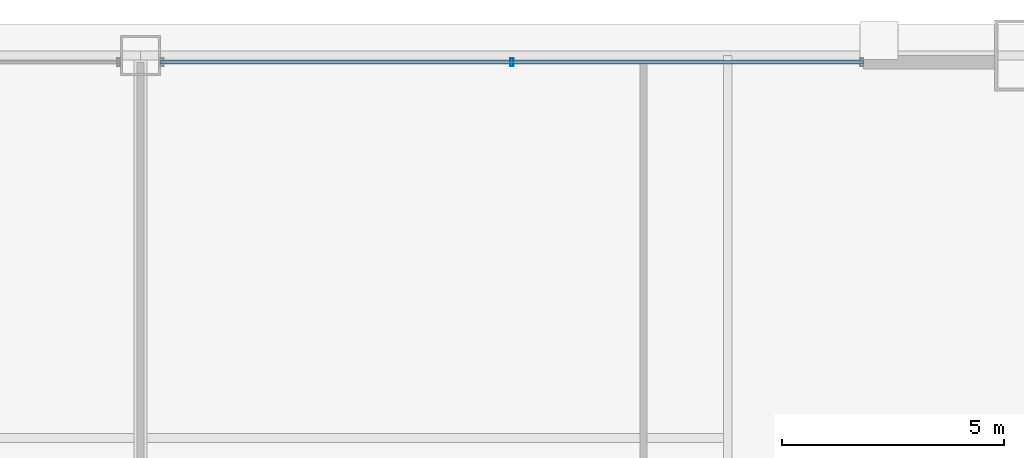
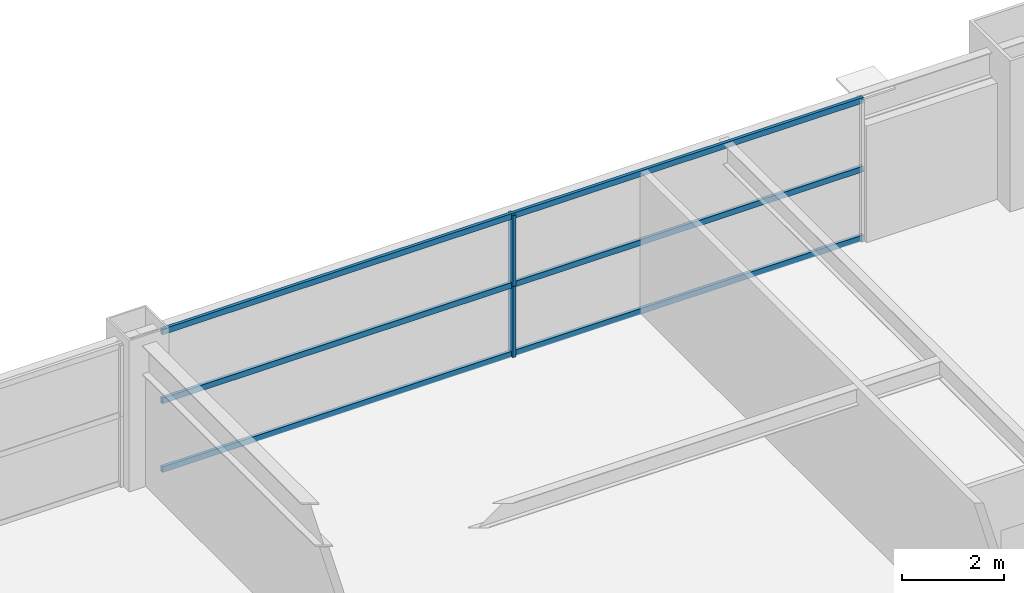
# One storey, part 30 of 37: 5 members, 1 element without a shape of its own.
"""IFC4 building model written with IfcOpenShell, lengths in metres."""

from ifc_helpers import new_model, si_unit, direction, frame, origin, origin_2d, place, context, subcontext, project, spatial, hollow_rectangle, extrude, source, transform, mapped, material, layer, layer_set, material_profile, profile_set, type_object, element, aggregate, save


model = new_model("IFC4")

# Units and contexts
model_context = context("Model", 3, precision=1e-05, world=origin(), true_north=direction((0.0, 1.0)))
body_context = subcontext(model_context, "Body", "Model", "MODEL_VIEW")
ifc_project = project(units=[si_unit("LENGTHUNIT", "METRE"), si_unit("AREAUNIT", "SQUARE_METRE"), si_unit("VOLUMEUNIT", "CUBIC_METRE"), si_unit("PLANEANGLEUNIT", "RADIAN"), si_unit("MASSUNIT", "GRAM", prefix="KILO"), si_unit("THERMODYNAMICTEMPERATUREUNIT", "KELVIN"), si_unit("POWERUNIT", "WATT")], contexts=[model_context])

# Site, building, storey
site_placement = place(None, origin())
site = spatial("IfcSite", under=ifc_project, at=site_placement, CompositionType="ELEMENT")
building_placement = place(site_placement, origin())
building = spatial("IfcBuilding", under=site, at=building_placement, Name="Yuzanri Waterfront Tower", CompositionType="ELEMENT")
storey_placement = place(building_placement, frame((0.0, 0.0, 104.60009765625)))
storey = spatial("IfcBuildingStorey", under=building, at=storey_placement, Name="L27", CompositionType="ELEMENT", Elevation=104.60009765625)

# Curtain wall, members
ifc_material_1 = material(Name="Anodized Architectural Bronze", Category="metal")
ifc_layer = layer(ifc_material_1, 0.159912109375)
ifc_layer_set = layer_set([ifc_layer], Name="Anodized Architectural Bronze")
curtain_wall_type = type_object("IfcCurtainWallType", Name="Anodized Bronze Hotel Upper-Tier Solar-Control Unitized Curtain Wall 7800", PredefinedType="NOTDEFINED", material=ifc_layer_set)
curtain_wall_placement = place(storey_placement, origin())
curtain_wall = element("IfcCurtainWall", 1, at=curtain_wall_placement, inside=storey, type_object=curtain_wall_type, Name="L27 Curtain Wall CW-L27-NR", PredefinedType="NOTDEFINED")
ifc_material_2 = material(Name="Anodized Architectural Bronze", Category="metal")
ifc_material_profile_1 = material_profile(ifc_material_2, hollow_rectangle(XDim=0.070068359375, YDim=0.179931640625, WallThickness=0.00390625, at=origin_2d()), Name="CWM 70x180")
ifc_profile_set_1 = profile_set([ifc_material_profile_1], Name="Anodized Architectural Bronze")
member_type_1 = type_object("IfcMemberType", Name="Anodized Bronze Standard Curtain-Wall Mullion 70x180", PredefinedType="MULLION", material=ifc_profile_set_1)
shared_shape_1 = source(origin(), body_context, "Body", "SweptSolid", [
    extrude(hollow_rectangle(XDim=0.070068359375, YDim=0.179931640625, WallThickness=0.00390625, at=origin_2d()), origin(), (0.0, 0.0, 1.0), 1.68798828125),
])
member_1_placement = place(storey_placement, frame((45.35009765625, 49.25, 0.0), z_axis=(0.0, 0.0, 1.0), x_axis=(1.0, 0.0, 0.0)))
member_1 = element("IfcMember", 2, at=member_1_placement, type_object=member_type_1, Name="CW-L27-NR Lower Mullion 01", PredefinedType="MULLION", context=body_context, shape_type="MappedRepresentation", body=[
    mapped(shared_shape_1, transform((0.0, 0.0, 0.0), scale=1.0)),
])
member_2_placement = place(storey_placement, frame((45.35009765625, 49.25, 1.69189453125), z_axis=(0.0, 0.0, 1.0), x_axis=(1.0, 0.0, 0.0)))
member_2 = element("IfcMember", 3, at=member_2_placement, type_object=member_type_1, Name="CW-L27-NR Upper Mullion 01", PredefinedType="MULLION", context=body_context, shape_type="MappedRepresentation", body=[
    mapped(shared_shape_1, transform((0.0, 0.0, 0.0), scale=1.0)),
])
ifc_material_3 = material(Name="Anodized Architectural Bronze", Category="metal")
ifc_material_profile_2 = material_profile(ifc_material_3, hollow_rectangle(XDim=0.070068359375, YDim=0.135009765625, WallThickness=0.00341796875, at=origin_2d()), Name="CWT 70x135")
ifc_profile_set_2 = profile_set([ifc_material_profile_2], Name="Anodized Architectural Bronze")
member_type_2 = type_object("IfcMemberType", Name="Anodized Bronze Standard Curtain-Wall Transom 70x135", PredefinedType="USERDEFINED", material=ifc_profile_set_2)
shared_shape_2 = source(origin(), body_context, "Body", "SweptSolid", [
    extrude(hollow_rectangle(XDim=0.070068359375, YDim=0.135009765625, WallThickness=0.00341796875, at=origin_2d()), origin(), (0.0, 0.0, 1.0), 15.800048828125),
])
member_3_placement = place(storey_placement, frame((37.449951171875, 49.25, 0.0498046875), z_axis=(1.0, 0.0, 0.0), x_axis=(0.0, 1.0, 0.0)))
member_3 = element("IfcMember", 4, at=member_3_placement, type_object=member_type_2, Name="CW-L27-NR Transom 1", ObjectType="TRANSOM", PredefinedType="USERDEFINED", context=body_context, shape_type="MappedRepresentation", body=[
    mapped(shared_shape_2, transform((0.0, 0.0, 0.0), scale=1.0)),
])
member_4_placement = place(storey_placement, frame((37.449951171875, 49.25, 1.68994140625), z_axis=(1.0, 0.0, 0.0), x_axis=(0.0, 1.0, 0.0)))
member_4 = element("IfcMember", 5, at=member_4_placement, type_object=member_type_2, Name="CW-L27-NR Transom 2", ObjectType="TRANSOM", PredefinedType="USERDEFINED", context=body_context, shape_type="MappedRepresentation", body=[
    mapped(shared_shape_2, transform((0.0, 0.0, 0.0), scale=1.0)),
])
member_5_placement = place(storey_placement, frame((37.449951171875, 49.25, 3.329833984375), z_axis=(1.0, 0.0, 0.0), x_axis=(0.0, 1.0, 0.0)))
member_5 = element("IfcMember", 6, at=member_5_placement, type_object=member_type_2, Name="CW-L27-NR Transom 3", ObjectType="TRANSOM", PredefinedType="USERDEFINED", context=body_context, shape_type="MappedRepresentation", body=[
    mapped(shared_shape_2, transform((0.0, 0.0, 0.0), scale=1.0)),
])
aggregate(curtain_wall, [member_1, member_2, member_3, member_4, member_5])

save(model, "model.ifc")
